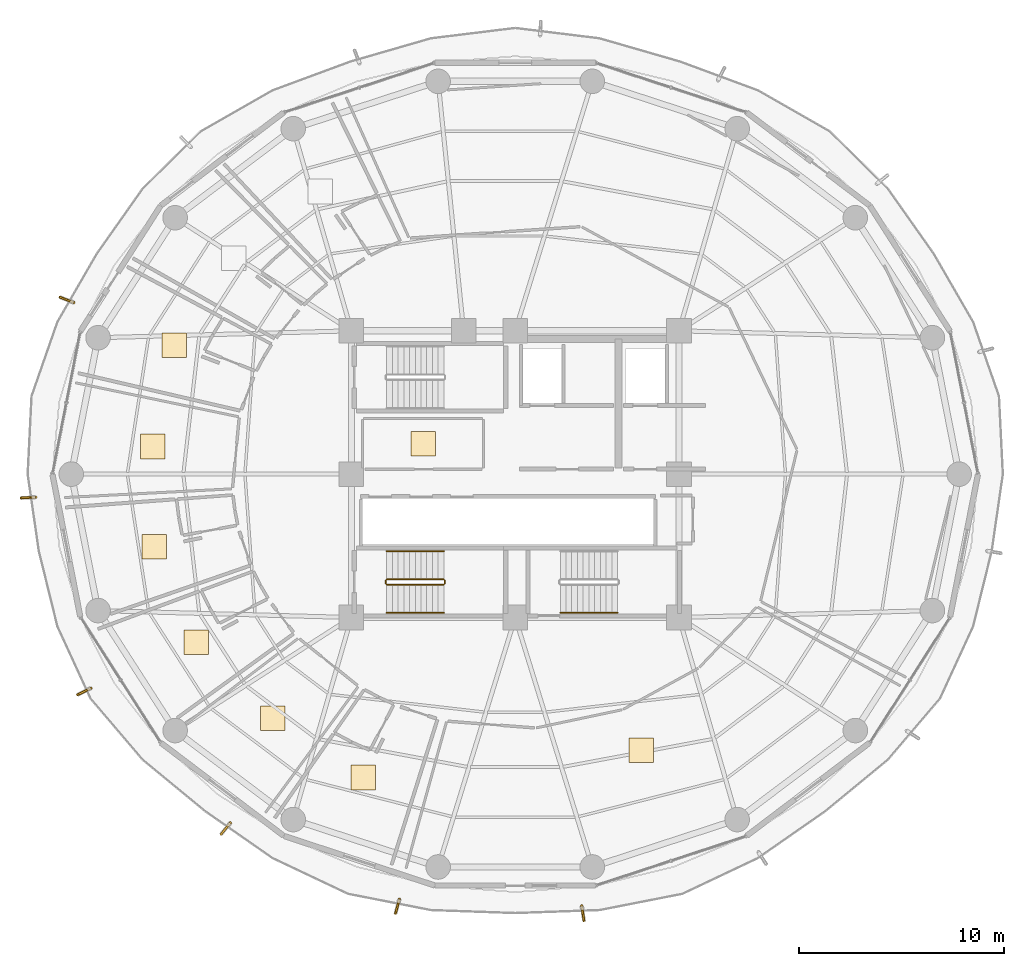
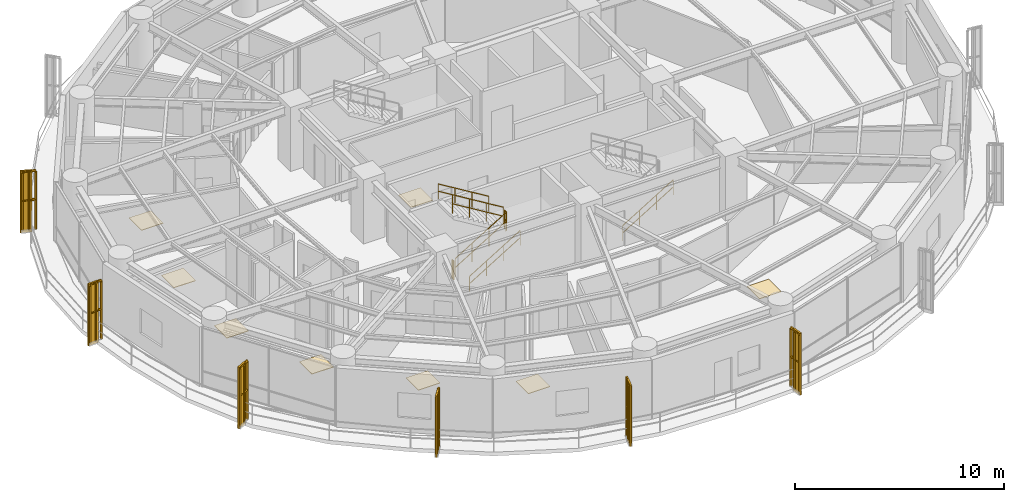
# One storey, part 25 of 27: 13 railings, 8 coverings, 6 shading devices.
"""IFC4 building model written with IfcOpenShell, lengths in metres."""

from ifc_helpers import new_model, si_unit, direction, frame, origin, origin_2d, place, context, subcontext, project, spatial, polyline, rectangle, outline, extrude, source, transform, mapped, material, layer, layer_set, type_object, element, save


model = new_model("IFC4")

# Units and contexts
model_context = context("Model", 3, precision=1e-05, world=origin(), true_north=direction((0.0, 1.0)))
body_context = subcontext(model_context, "Body", "Model", "MODEL_VIEW")
ifc_project = project(units=[si_unit("LENGTHUNIT", "METRE"), si_unit("AREAUNIT", "SQUARE_METRE"), si_unit("VOLUMEUNIT", "CUBIC_METRE"), si_unit("PLANEANGLEUNIT", "RADIAN"), si_unit("MASSUNIT", "GRAM", prefix="KILO")], contexts=[model_context])

# Site, building, storey
site_placement = place(None, origin())
site = spatial("IfcSite", under=ifc_project, at=site_placement, CompositionType="ELEMENT")
building_placement = place(site_placement, origin())
building = spatial("IfcBuilding", under=site, at=building_placement, Name="Kelanora Arch Commons", CompositionType="ELEMENT")
storey_placement = place(building_placement, frame((0.0, 0.0, 143.10009765625)))
storey = spatial("IfcBuildingStorey", under=building, at=storey_placement, Name="L36", CompositionType="ELEMENT", Elevation=143.10009765625)

# Railings
ifc_material_1 = material(Name="Anodised bronze vertical shading fin rib assembly")
railing_type_1 = type_object("IfcRailingType", Name="RAIL-FIN-BRZ", PredefinedType="BALUSTRADE", material=ifc_material_1)
railing_1_placement = place(storey_placement, frame((52.4404296875, 66.380615234375, -0.02001953125)))
element("IfcRailing", 1, at=railing_1_placement, inside=storey, type_object=railing_type_1, Name="Sweeping Bronze Vertical Fin Blade L36-06", PredefinedType="BALUSTRADE", context=body_context, shape_type="SweptSolid", body=[
    extrude(outline(polyline([(0.06982421875, 0.0), (0.034912109375, 0.060546875), (-0.034912109375, 0.060546875), (-0.06982421875, 0.0), (-0.034912109375, -0.060546875), (0.034912109375, -0.060546875), (0.06982421875, 0.0)])), frame((0.0, 0.0, 3.419921875), z_axis=(-0.932147153176, 0.362079666407, 0.0), x_axis=(-0.362079666407, -0.932147153176, 0.0)), (0.0, 0.0, 1.0), 0.675048828125),
    extrude(outline(polyline([(0.06982421875, 0.0), (0.034912109375, 0.060546875), (-0.034912109375, 0.060546875), (-0.06982421875, 0.0), (-0.034912109375, -0.060546875), (0.034912109375, -0.060546875), (0.06982421875, 0.0)])), frame((0.0, 0.0, 1.7451171875), z_axis=(-0.932147153176, 0.362079666407, 0.0), x_axis=(-0.362079666407, -0.932147153176, 0.0)), (0.0, 0.0, 1.0), 0.675048828125),
    extrude(outline(polyline([(0.080078125, 0.0), (0.0400390625, 0.0693359375), (-0.0400390625, 0.0693359375), (-0.080078125, 0.0), (-0.0400390625, -0.0693359375), (0.0400390625, -0.0693359375), (0.080078125, 0.0)])), origin(), (0.0, 0.0, 1.0), 3.35009765625),
    extrude(outline(polyline([(0.080078125, 0.0), (0.0400390625, 0.0693359375), (-0.0400390625, 0.0693359375), (-0.080078125, 0.0), (-0.0400390625, -0.0693359375), (0.0400390625, -0.0693359375), (0.080078125, 0.0)])), frame((-0.314453125, 0.1220703125, 0.0)), (0.0, 0.0, 1.0), 3.35009765625),
    extrude(outline(polyline([(0.080078125, 0.0), (0.0400390625, 0.0693359375), (-0.0400390625, 0.0693359375), (-0.080078125, 0.0), (-0.0400390625, -0.0693359375), (0.0400390625, -0.0693359375), (0.080078125, 0.0)])), frame((-0.629150390625, 0.244384765625, 0.0)), (0.0, 0.0, 1.0), 3.35009765625),
])
railing_2_placement = place(storey_placement, frame((50.5751953125, 56.87158203125, -0.02001953125)))
element("IfcRailing", 2, at=railing_2_placement, inside=storey, type_object=railing_type_1, Name="Sweeping Bronze Vertical Fin Blade L36-07", PredefinedType="BALUSTRADE", context=body_context, shape_type="SweptSolid", body=[
    extrude(outline(polyline([(0.06982421875, 0.0), (0.034912109375, 0.060546875), (-0.034912109375, 0.060546875), (-0.06982421875, 0.0), (-0.034912109375, -0.060546875), (0.034912109375, -0.060546875), (0.06982421875, 0.0)])), frame((0.0, 0.0, 3.419921875), z_axis=(-0.998841794935, -0.048115160712, 0.0), x_axis=(0.048115160712, -0.998841794935, 0.0)), (0.0, 0.0, 1.0), 0.6748046875),
    extrude(outline(polyline([(0.06982421875, 0.0), (0.034912109375, 0.060546875), (-0.034912109375, 0.060546875), (-0.06982421875, 0.0), (-0.034912109375, -0.060546875), (0.034912109375, -0.060546875), (0.06982421875, 0.0)])), frame((0.0, 0.0, 1.7451171875), z_axis=(-0.998841794935, -0.048115160712, 0.0), x_axis=(0.048115160712, -0.998841794935, 0.0)), (0.0, 0.0, 1.0), 0.6748046875),
    extrude(outline(polyline([(0.080078125, 0.0), (0.0400390625, 0.0693359375), (-0.0400390625, 0.0693359375), (-0.080078125, 0.0), (-0.0400390625, -0.0693359375), (0.0400390625, -0.0693359375), (0.080078125, 0.0)])), origin(), (0.0, 0.0, 1.0), 3.35009765625),
    extrude(outline(polyline([(0.080078125, 0.0), (0.0400390625, 0.0693359375), (-0.0400390625, 0.0693359375), (-0.080078125, 0.0), (-0.0400390625, -0.0693359375), (0.0400390625, -0.0693359375), (0.080078125, 0.0)])), frame((-0.3369140625, -0.01611328125, 0.0)), (0.0, 0.0, 1.0), 3.35009765625),
    extrude(outline(polyline([(0.080078125, 0.0), (0.0400390625, 0.0693359375), (-0.0400390625, 0.0693359375), (-0.080078125, 0.0), (-0.0400390625, -0.0693359375), (0.0400390625, -0.0693359375), (0.080078125, 0.0)])), frame((-0.674072265625, -0.032470703125, 0.0)), (0.0, 0.0, 1.0), 3.35009765625),
])
railing_3_placement = place(storey_placement, frame((53.271240234375, 47.548095703125, -0.02001953125)))
element("IfcRailing", 3, at=railing_3_placement, inside=storey, type_object=railing_type_1, Name="Sweeping Bronze Vertical Fin Blade L36-08", PredefinedType="BALUSTRADE", context=body_context, shape_type="SweptSolid", body=[
    extrude(outline(polyline([(0.06982421875, 0.0), (0.034912109375, 0.060546875), (-0.034912109375, 0.060546875), (-0.06982421875, 0.0), (-0.034912109375, -0.060546875), (0.034912109375, -0.060546875), (0.06982421875, 0.0)])), frame((0.0, 0.0, 3.419921875), z_axis=(-0.893048489417, -0.449960437762, 0.0), x_axis=(0.449960437762, -0.893048489417, 0.0)), (0.0, 0.0, 1.0), 0.675048828125),
    extrude(outline(polyline([(0.06982421875, 0.0), (0.034912109375, 0.060546875), (-0.034912109375, 0.060546875), (-0.06982421875, 0.0), (-0.034912109375, -0.060546875), (0.034912109375, -0.060546875), (0.06982421875, 0.0)])), frame((0.0, 0.0, 1.7451171875), z_axis=(-0.893048489417, -0.449960437762, 0.0), x_axis=(0.449960437762, -0.893048489417, 0.0)), (0.0, 0.0, 1.0), 0.675048828125),
    extrude(outline(polyline([(0.080078125, 0.0), (0.0400390625, 0.0693359375), (-0.0400390625, 0.0693359375), (-0.080078125, 0.0), (-0.0400390625, -0.0693359375), (0.0400390625, -0.0693359375), (0.080078125, 0.0)])), origin(), (0.0, 0.0, 1.0), 3.35009765625),
    extrude(outline(polyline([(0.080078125, 0.0), (0.0400390625, 0.0693359375), (-0.0400390625, 0.0693359375), (-0.080078125, 0.0), (-0.0400390625, -0.0693359375), (0.0400390625, -0.0693359375), (0.080078125, 0.0)])), frame((-0.30126953125, -0.15185546875, 0.0)), (0.0, 0.0, 1.0), 3.35009765625),
    extrude(outline(polyline([(0.080078125, 0.0), (0.0400390625, 0.0693359375), (-0.0400390625, 0.0693359375), (-0.080078125, 0.0), (-0.0400390625, -0.0693359375), (0.0400390625, -0.0693359375), (0.080078125, 0.0)])), frame((-0.602783203125, -0.3037109375, 0.0)), (0.0, 0.0, 1.0), 3.35009765625),
])
railing_4_placement = place(storey_placement, frame((60.082763671875, 40.961181640625, -0.02001953125)))
element("IfcRailing", 4, at=railing_4_placement, inside=storey, type_object=railing_type_1, Name="Sweeping Bronze Vertical Fin Blade L36-09", PredefinedType="BALUSTRADE", context=body_context, shape_type="SweptSolid", body=[
    extrude(outline(polyline([(0.06982421875, 0.0), (0.034912109375, 0.060546875), (-0.034912109375, 0.060546875), (-0.06982421875, 0.0), (-0.034912109375, -0.060546875), (0.034912109375, -0.060546875), (0.06982421875, 0.0)])), frame((0.0, 0.0, 3.419921875), z_axis=(-0.632646678466, -0.774440559517, 0.0), x_axis=(0.774440559517, -0.632646678466, 0.0)), (0.0, 0.0, 1.0), 0.675048828125),
    extrude(outline(polyline([(0.06982421875, 0.0), (0.034912109375, 0.060546875), (-0.034912109375, 0.060546875), (-0.06982421875, 0.0), (-0.034912109375, -0.060546875), (0.034912109375, -0.060546875), (0.06982421875, 0.0)])), frame((0.0, 0.0, 1.7451171875), z_axis=(-0.632646678466, -0.774440559517, 0.0), x_axis=(0.774440559517, -0.632646678466, 0.0)), (0.0, 0.0, 1.0), 0.675048828125),
    extrude(outline(polyline([(0.080078125, 0.0), (0.0400390625, 0.0693359375), (-0.0400390625, 0.0693359375), (-0.080078125, 0.0), (-0.0400390625, -0.0693359375), (0.0400390625, -0.0693359375), (0.080078125, 0.0)])), origin(), (0.0, 0.0, 1.0), 3.35009765625),
    extrude(outline(polyline([(0.080078125, 0.0), (0.0400390625, 0.0693359375), (-0.0400390625, 0.0693359375), (-0.080078125, 0.0), (-0.0400390625, -0.0693359375), (0.0400390625, -0.0693359375), (0.080078125, 0.0)])), frame((-0.21337890625, -0.26123046875, 0.0)), (0.0, 0.0, 1.0), 3.35009765625),
    extrude(outline(polyline([(0.080078125, 0.0), (0.0400390625, 0.0693359375), (-0.0400390625, 0.0693359375), (-0.080078125, 0.0), (-0.0400390625, -0.0693359375), (0.0400390625, -0.0693359375), (0.080078125, 0.0)])), frame((-0.427001953125, -0.522705078125, 0.0)), (0.0, 0.0, 1.0), 3.35009765625),
])
railing_5_placement = place(storey_placement, frame((68.34375, 37.241455078125, -0.02001953125)))
element("IfcRailing", 5, at=railing_5_placement, inside=storey, type_object=railing_type_1, Name="Sweeping Bronze Vertical Fin Blade L36-10", PredefinedType="BALUSTRADE", context=body_context, shape_type="SweptSolid", body=[
    extrude(outline(polyline([(0.06982421875, 0.0), (0.034912109375, 0.060546875), (-0.034912109375, 0.060546875), (-0.06982421875, 0.0), (-0.034912109375, -0.060546875), (0.034912109375, -0.060546875), (0.06982421875, 0.0)])), frame((0.0, 0.0, 3.419921875), z_axis=(-0.262903204548, -0.964822214213, 0.0), x_axis=(0.964822214213, -0.262903204548, 0.0)), (0.0, 0.0, 1.0), 0.675048828125),
    extrude(outline(polyline([(0.06982421875, 0.0), (0.034912109375, 0.060546875), (-0.034912109375, 0.060546875), (-0.06982421875, 0.0), (-0.034912109375, -0.060546875), (0.034912109375, -0.060546875), (0.06982421875, 0.0)])), frame((0.0, 0.0, 1.7451171875), z_axis=(-0.262903204548, -0.964822214213, 0.0), x_axis=(0.964822214213, -0.262903204548, 0.0)), (0.0, 0.0, 1.0), 0.675048828125),
    extrude(outline(polyline([(0.080078125, 0.0), (0.0400390625, 0.0693359375), (-0.0400390625, 0.0693359375), (-0.080078125, 0.0), (-0.0400390625, -0.0693359375), (0.0400390625, -0.0693359375), (0.080078125, 0.0)])), origin(), (0.0, 0.0, 1.0), 3.35009765625),
    extrude(outline(polyline([(0.080078125, 0.0), (0.0400390625, 0.0693359375), (-0.0400390625, 0.0693359375), (-0.080078125, 0.0), (-0.0400390625, -0.0693359375), (0.0400390625, -0.0693359375), (0.080078125, 0.0)])), frame((-0.0888671875, -0.32568359375, 0.0)), (0.0, 0.0, 1.0), 3.35009765625),
    extrude(outline(polyline([(0.080078125, 0.0), (0.0400390625, 0.0693359375), (-0.0400390625, 0.0693359375), (-0.080078125, 0.0), (-0.0400390625, -0.0693359375), (0.0400390625, -0.0693359375), (0.080078125, 0.0)])), frame((-0.177490234375, -0.6513671875, 0.0)), (0.0, 0.0, 1.0), 3.35009765625),
])
railing_6_placement = place(storey_placement, frame((77.25, 36.9033203125, -0.02001953125)))
element("IfcRailing", 6, at=railing_6_placement, inside=storey, type_object=railing_type_1, Name="Sweeping Bronze Vertical Fin Blade L36-11", PredefinedType="BALUSTRADE", context=body_context, shape_type="SweptSolid", body=[
    extrude(outline(polyline([(0.06982421875, 0.0), (0.034912109375, 0.060546875), (-0.034912109375, 0.060546875), (-0.06982421875, 0.0), (-0.034912109375, -0.060546875), (0.034912109375, -0.060546875), (0.06982421875, 0.0)])), frame((0.0, 0.0, 3.419921875), z_axis=(0.152247404466, -0.988342414264, 0.0), x_axis=(0.988342414264, 0.152247404466, 0.0)), (0.0, 0.0, 1.0), 0.675048828125),
    extrude(outline(polyline([(0.06982421875, 0.0), (0.034912109375, 0.060546875), (-0.034912109375, 0.060546875), (-0.06982421875, 0.0), (-0.034912109375, -0.060546875), (0.034912109375, -0.060546875), (0.06982421875, 0.0)])), frame((0.0, 0.0, 1.7451171875), z_axis=(0.152247404466, -0.988342414264, 0.0), x_axis=(0.988342414264, 0.152247404466, 0.0)), (0.0, 0.0, 1.0), 0.675048828125),
    extrude(outline(polyline([(0.080078125, 0.0), (0.0400390625, 0.0693359375), (-0.0400390625, 0.0693359375), (-0.080078125, 0.0), (-0.0400390625, -0.0693359375), (0.0400390625, -0.0693359375), (0.080078125, 0.0)])), origin(), (0.0, 0.0, 1.0), 3.35009765625),
    extrude(outline(polyline([(0.080078125, 0.0), (0.0400390625, 0.0693359375), (-0.0400390625, 0.0693359375), (-0.080078125, 0.0), (-0.0400390625, -0.0693359375), (0.0400390625, -0.0693359375), (0.080078125, 0.0)])), frame((0.05126953125, -0.33349609375, 0.0)), (0.0, 0.0, 1.0), 3.35009765625),
    extrude(outline(polyline([(0.080078125, 0.0), (0.0400390625, 0.0693359375), (-0.0400390625, 0.0693359375), (-0.080078125, 0.0), (-0.0400390625, -0.0693359375), (0.0400390625, -0.0693359375), (0.080078125, 0.0)])), frame((0.102783203125, -0.667236328125, 0.0)), (0.0, 0.0, 1.0), 3.35009765625),
])
ifc_material_2 = material(Name="Painted steel stair well guard", Category="steel")
railing_type_2 = type_object("IfcRailingType", Name="RAIL-STAIR-GRD", PredefinedType="GUARDRAIL", material=ifc_material_2)
railing_7_placement = place(storey_placement, frame((67.719970703125, 52.610107421875, 0.17041015625)))
element("IfcRailing", 7, at=railing_7_placement, inside=storey, type_object=railing_type_2, Name="L36 ST-T3 stair guard 1", PredefinedType="GUARDRAIL", context=body_context, shape_type="SweptSolid", body=[
    extrude(outline(polyline([(0.02392578125, 0.0), (0.011962890625, 0.020751953125), (-0.011962890625, 0.020751953125), (-0.02392578125, 0.0), (-0.011962890625, -0.020751953125), (0.011962890625, -0.020751953125), (0.02392578125, 0.0)])), frame((0.0, 0.0, 1.076171875), z_axis=(0.854169791009, 0.0, 0.51999420009), x_axis=(0.0, 1.0, 0.0)), (0.0, 0.0, 1.0), 3.278076171875),
    extrude(outline(polyline([(0.02392578125, 0.0), (0.011962890625, 0.020751953125), (-0.011962890625, 0.020751953125), (-0.02392578125, 0.0), (-0.011962890625, -0.020751953125), (0.011962890625, -0.020751953125), (0.02392578125, 0.0)])), frame((0.0, 0.0, 0.550048828125), z_axis=(0.854169791009, 0.0, 0.51999420009), x_axis=(0.0, 1.0, 0.0)), (0.0, 0.0, 1.0), 3.278076171875),
    extrude(outline(polyline([(0.02099609375, 0.0), (0.010498046875, 0.01806640625), (-0.010498046875, 0.01806640625), (-0.02099609375, 0.0), (-0.010498046875, -0.01806640625), (0.010498046875, -0.01806640625), (0.02099609375, 0.0)])), origin(), (0.0, 0.0, 1.0), 1.052001953125),
    extrude(outline(polyline([(0.02099609375, 0.0), (0.010498046875, 0.01806640625), (-0.010498046875, 0.01806640625), (-0.02099609375, 0.0), (-0.010498046875, -0.01806640625), (0.010498046875, -0.01806640625), (0.02099609375, 0.0)])), frame((0.933349609375, 0.0, 0.568115234375)), (0.0, 0.0, 1.0), 1.052001953125),
    extrude(outline(polyline([(0.02099609375, 0.0), (0.010498046875, 0.01806640625), (-0.010498046875, 0.01806640625), (-0.02099609375, 0.0), (-0.010498046875, -0.01806640625), (0.010498046875, -0.01806640625), (0.02099609375, 0.0)])), frame((1.86669921875, 0.0, 1.136474609375)), (0.0, 0.0, 1.0), 1.052001953125),
    extrude(outline(polyline([(0.02099609375, 0.0), (0.010498046875, 0.01806640625), (-0.010498046875, 0.01806640625), (-0.02099609375, 0.0), (-0.010498046875, -0.01806640625), (0.010498046875, -0.01806640625), (0.02099609375, 0.0)])), frame((2.800048828125, 0.0, 1.70458984375)), (0.0, 0.0, 1.0), 1.052001953125),
])
railing_8_placement = place(storey_placement, frame((70.570068359375, 52.659912109375, 1.875)))
element("IfcRailing", 8, at=railing_8_placement, inside=storey, type_object=railing_type_2, Name="L36 ST-T3 stair guard 2", PredefinedType="GUARDRAIL", context=body_context, shape_type="SweptSolid", body=[
    extrude(outline(polyline([(0.02392578125, 0.0), (0.011962890625, 0.020751953125), (-0.011962890625, 0.020751953125), (-0.02392578125, 0.0), (-0.011962890625, -0.020751953125), (0.011962890625, -0.020751953125), (0.02392578125, 0.0)])), frame((0.0, 0.0, 1.076171875), z_axis=(0.0, 1.0, 0.0), x_axis=(-1.0, 0.0, 0.0)), (0.0, 0.0, 1.0), 0.150146484375),
    extrude(outline(polyline([(0.02392578125, 0.0), (0.011962890625, 0.020751953125), (-0.011962890625, 0.020751953125), (-0.02392578125, 0.0), (-0.011962890625, -0.020751953125), (0.011962890625, -0.020751953125), (0.02392578125, 0.0)])), frame((0.0, 0.0, 0.550048828125), z_axis=(0.0, 1.0, 0.0), x_axis=(-1.0, 0.0, 0.0)), (0.0, 0.0, 1.0), 0.150146484375),
    extrude(outline(polyline([(0.02099609375, 0.0), (0.010498046875, 0.01806640625), (-0.010498046875, 0.01806640625), (-0.02099609375, 0.0), (-0.010498046875, -0.01806640625), (0.010498046875, -0.01806640625), (0.02099609375, 0.0)])), origin(), (0.0, 0.0, 1.0), 1.052001953125),
    extrude(outline(polyline([(0.02099609375, 0.0), (0.010498046875, 0.01806640625), (-0.010498046875, 0.01806640625), (-0.02099609375, 0.0), (-0.010498046875, -0.01806640625), (0.010498046875, -0.01806640625), (0.02099609375, 0.0)])), frame((0.0, 0.150146484375, 0.0)), (0.0, 0.0, 1.0), 1.052001953125),
])
railing_9_placement = place(storey_placement, frame((70.52001953125, 52.860107421875, 2.04541015625)))
element("IfcRailing", 9, at=railing_9_placement, inside=storey, type_object=railing_type_2, Name="L36 ST-T3 stair guard 3", PredefinedType="GUARDRAIL", context=body_context, shape_type="SweptSolid", body=[
    extrude(outline(polyline([(0.02392578125, 0.0), (0.011962890625, 0.020751953125), (-0.011962890625, 0.020751953125), (-0.02392578125, 0.0), (-0.011962890625, -0.020751953125), (0.011962890625, -0.020751953125), (0.02392578125, 0.0)])), frame((0.0, 0.0, 1.076171875), z_axis=(-0.854169791009, 0.0, 0.51999420009), x_axis=(0.0, -1.0, 0.0)), (0.0, 0.0, 1.0), 3.278076171875),
    extrude(outline(polyline([(0.02392578125, 0.0), (0.011962890625, 0.020751953125), (-0.011962890625, 0.020751953125), (-0.02392578125, 0.0), (-0.011962890625, -0.020751953125), (0.011962890625, -0.020751953125), (0.02392578125, 0.0)])), frame((0.0, 0.0, 0.550048828125), z_axis=(-0.854169791009, 0.0, 0.51999420009), x_axis=(0.0, -1.0, 0.0)), (0.0, 0.0, 1.0), 3.278076171875),
    extrude(outline(polyline([(0.02099609375, 0.0), (0.010498046875, 0.01806640625), (-0.010498046875, 0.01806640625), (-0.02099609375, 0.0), (-0.010498046875, -0.01806640625), (0.010498046875, -0.01806640625), (0.02099609375, 0.0)])), origin(), (0.0, 0.0, 1.0), 1.052001953125),
    extrude(outline(polyline([(0.02099609375, 0.0), (0.010498046875, 0.01806640625), (-0.010498046875, 0.01806640625), (-0.02099609375, 0.0), (-0.010498046875, -0.01806640625), (0.010498046875, -0.01806640625), (0.02099609375, 0.0)])), frame((-0.933349609375, 0.0, 0.568115234375)), (0.0, 0.0, 1.0), 1.052001953125),
    extrude(outline(polyline([(0.02099609375, 0.0), (0.010498046875, 0.01806640625), (-0.010498046875, 0.01806640625), (-0.02099609375, 0.0), (-0.010498046875, -0.01806640625), (0.010498046875, -0.01806640625), (0.02099609375, 0.0)])), frame((-1.86669921875, 0.0, 1.136474609375)), (0.0, 0.0, 1.0), 1.052001953125),
    extrude(outline(polyline([(0.02099609375, 0.0), (0.010498046875, 0.01806640625), (-0.010498046875, 0.01806640625), (-0.02099609375, 0.0), (-0.010498046875, -0.01806640625), (0.010498046875, -0.01806640625), (0.02099609375, 0.0)])), frame((-2.800048828125, 0.0, 1.70458984375)), (0.0, 0.0, 1.0), 1.052001953125),
])
railing_10_placement = place(storey_placement, frame((67.669921875, 52.659912109375, 0.0)))
element("IfcRailing", 10, at=railing_10_placement, inside=storey, type_object=railing_type_2, Name="L36 ST-T3 stair guard 4", PredefinedType="GUARDRAIL", context=body_context, shape_type="SweptSolid", body=[
    extrude(outline(polyline([(0.02392578125, 0.0), (0.011962890625, 0.020751953125), (-0.011962890625, 0.020751953125), (-0.02392578125, 0.0), (-0.011962890625, -0.020751953125), (0.011962890625, -0.020751953125), (0.02392578125, 0.0)])), frame((0.0, 0.0, 1.076171875), z_axis=(0.0, 1.0, 0.0), x_axis=(-1.0, 0.0, 0.0)), (0.0, 0.0, 1.0), 0.150146484375),
    extrude(outline(polyline([(0.02392578125, 0.0), (0.011962890625, 0.020751953125), (-0.011962890625, 0.020751953125), (-0.02392578125, 0.0), (-0.011962890625, -0.020751953125), (0.011962890625, -0.020751953125), (0.02392578125, 0.0)])), frame((0.0, 0.0, 0.550048828125), z_axis=(0.0, 1.0, 0.0), x_axis=(-1.0, 0.0, 0.0)), (0.0, 0.0, 1.0), 0.150146484375),
    extrude(outline(polyline([(0.02099609375, 0.0), (0.010498046875, 0.01806640625), (-0.010498046875, 0.01806640625), (-0.02099609375, 0.0), (-0.010498046875, -0.01806640625), (0.010498046875, -0.01806640625), (0.02099609375, 0.0)])), origin(), (0.0, 0.0, 1.0), 1.052001953125),
    extrude(outline(polyline([(0.02099609375, 0.0), (0.010498046875, 0.01806640625), (-0.010498046875, 0.01806640625), (-0.02099609375, 0.0), (-0.010498046875, -0.01806640625), (0.010498046875, -0.01806640625), (0.02099609375, 0.0)])), frame((0.0, 0.150146484375, 0.0)), (0.0, 0.0, 1.0), 1.052001953125),
])
ifc_material_3 = material(Name="Brushed stainless steel stair handrail", Category="steel")
railing_type_3 = type_object("IfcRailingType", Name="RAIL-STAIR-HND", PredefinedType="HANDRAIL", material=ifc_material_3)
railing_11_placement = place(storey_placement, frame((76.199951171875, 51.22998046875, 0.17041015625)))
element("IfcRailing", 11, at=railing_11_placement, inside=storey, type_object=railing_type_3, Name="L36 ST-T2 stair handrail 1", PredefinedType="HANDRAIL", context=body_context, shape_type="SweptSolid", body=[
    extrude(outline(polyline([(0.02392578125, 0.0), (0.011962890625, 0.020751953125), (-0.011962890625, 0.020751953125), (-0.02392578125, 0.0), (-0.011962890625, -0.020751953125), (0.011962890625, -0.020751953125), (0.02392578125, 0.0)])), frame((0.0, 0.0, 0.8759765625), z_axis=(0.854169791009, 0.0, 0.51999420009), x_axis=(0.0, 1.0, 0.0)), (0.0, 0.0, 1.0), 3.278076171875),
    extrude(outline(polyline([(0.02392578125, 0.0), (0.011962890625, 0.020751953125), (-0.011962890625, 0.020751953125), (-0.02392578125, 0.0), (-0.011962890625, -0.020751953125), (0.011962890625, -0.020751953125), (0.02392578125, 0.0)])), frame((0.0, 0.0, 0.449951171875), z_axis=(0.854169791009, 0.0, 0.51999420009), x_axis=(0.0, 1.0, 0.0)), (0.0, 0.0, 1.0), 3.278076171875),
    extrude(outline(polyline([(0.02099609375, 0.0), (0.010498046875, 0.01806640625), (-0.010498046875, 0.01806640625), (-0.02099609375, 0.0), (-0.010498046875, -0.01806640625), (0.010498046875, -0.01806640625), (0.02099609375, 0.0)])), origin(), (0.0, 0.0, 1.0), 0.851806640625),
    extrude(outline(polyline([(0.02099609375, 0.0), (0.010498046875, 0.01806640625), (-0.010498046875, 0.01806640625), (-0.02099609375, 0.0), (-0.010498046875, -0.01806640625), (0.010498046875, -0.01806640625), (0.02099609375, 0.0)])), frame((0.933349609375, 0.0, 0.568115234375)), (0.0, 0.0, 1.0), 0.851806640625),
    extrude(outline(polyline([(0.02099609375, 0.0), (0.010498046875, 0.01806640625), (-0.010498046875, 0.01806640625), (-0.02099609375, 0.0), (-0.010498046875, -0.01806640625), (0.010498046875, -0.01806640625), (0.02099609375, 0.0)])), frame((1.86669921875, 0.0, 1.136474609375)), (0.0, 0.0, 1.0), 0.851806640625),
    extrude(outline(polyline([(0.02099609375, 0.0), (0.010498046875, 0.01806640625), (-0.010498046875, 0.01806640625), (-0.02099609375, 0.0), (-0.010498046875, -0.01806640625), (0.010498046875, -0.01806640625), (0.02099609375, 0.0)])), frame((2.800048828125, 0.0, 1.70458984375)), (0.0, 0.0, 1.0), 0.851806640625),
])
railing_12_placement = place(storey_placement, frame((67.719970703125, 51.22998046875, 0.17041015625)))
element("IfcRailing", 12, at=railing_12_placement, inside=storey, type_object=railing_type_3, Name="L36 ST-T3 stair handrail 1", PredefinedType="HANDRAIL", context=body_context, shape_type="SweptSolid", body=[
    extrude(outline(polyline([(0.02392578125, 0.0), (0.011962890625, 0.020751953125), (-0.011962890625, 0.020751953125), (-0.02392578125, 0.0), (-0.011962890625, -0.020751953125), (0.011962890625, -0.020751953125), (0.02392578125, 0.0)])), frame((0.0, 0.0, 0.8759765625), z_axis=(0.854169791009, 0.0, 0.51999420009), x_axis=(0.0, 1.0, 0.0)), (0.0, 0.0, 1.0), 3.278076171875),
    extrude(outline(polyline([(0.02392578125, 0.0), (0.011962890625, 0.020751953125), (-0.011962890625, 0.020751953125), (-0.02392578125, 0.0), (-0.011962890625, -0.020751953125), (0.011962890625, -0.020751953125), (0.02392578125, 0.0)])), frame((0.0, 0.0, 0.449951171875), z_axis=(0.854169791009, 0.0, 0.51999420009), x_axis=(0.0, 1.0, 0.0)), (0.0, 0.0, 1.0), 3.278076171875),
    extrude(outline(polyline([(0.02099609375, 0.0), (0.010498046875, 0.01806640625), (-0.010498046875, 0.01806640625), (-0.02099609375, 0.0), (-0.010498046875, -0.01806640625), (0.010498046875, -0.01806640625), (0.02099609375, 0.0)])), origin(), (0.0, 0.0, 1.0), 0.851806640625),
    extrude(outline(polyline([(0.02099609375, 0.0), (0.010498046875, 0.01806640625), (-0.010498046875, 0.01806640625), (-0.02099609375, 0.0), (-0.010498046875, -0.01806640625), (0.010498046875, -0.01806640625), (0.02099609375, 0.0)])), frame((0.933349609375, 0.0, 0.568115234375)), (0.0, 0.0, 1.0), 0.851806640625),
    extrude(outline(polyline([(0.02099609375, 0.0), (0.010498046875, 0.01806640625), (-0.010498046875, 0.01806640625), (-0.02099609375, 0.0), (-0.010498046875, -0.01806640625), (0.010498046875, -0.01806640625), (0.02099609375, 0.0)])), frame((1.86669921875, 0.0, 1.136474609375)), (0.0, 0.0, 1.0), 0.851806640625),
    extrude(outline(polyline([(0.02099609375, 0.0), (0.010498046875, 0.01806640625), (-0.010498046875, 0.01806640625), (-0.02099609375, 0.0), (-0.010498046875, -0.01806640625), (0.010498046875, -0.01806640625), (0.02099609375, 0.0)])), frame((2.800048828125, 0.0, 1.70458984375)), (0.0, 0.0, 1.0), 0.851806640625),
])
railing_13_placement = place(storey_placement, frame((70.52001953125, 54.239990234375, 2.04541015625)))
element("IfcRailing", 13, at=railing_13_placement, inside=storey, type_object=railing_type_3, Name="L36 ST-T3 stair handrail 2", PredefinedType="HANDRAIL", context=body_context, shape_type="SweptSolid", body=[
    extrude(outline(polyline([(0.02392578125, 0.0), (0.011962890625, 0.020751953125), (-0.011962890625, 0.020751953125), (-0.02392578125, 0.0), (-0.011962890625, -0.020751953125), (0.011962890625, -0.020751953125), (0.02392578125, 0.0)])), frame((0.0, 0.0, 0.8759765625), z_axis=(-0.854169791009, 0.0, 0.51999420009), x_axis=(0.0, -1.0, 0.0)), (0.0, 0.0, 1.0), 3.278076171875),
    extrude(outline(polyline([(0.02392578125, 0.0), (0.011962890625, 0.020751953125), (-0.011962890625, 0.020751953125), (-0.02392578125, 0.0), (-0.011962890625, -0.020751953125), (0.011962890625, -0.020751953125), (0.02392578125, 0.0)])), frame((0.0, 0.0, 0.449951171875), z_axis=(-0.854169791009, 0.0, 0.51999420009), x_axis=(0.0, -1.0, 0.0)), (0.0, 0.0, 1.0), 3.278076171875),
    extrude(outline(polyline([(0.02099609375, 0.0), (0.010498046875, 0.01806640625), (-0.010498046875, 0.01806640625), (-0.02099609375, 0.0), (-0.010498046875, -0.01806640625), (0.010498046875, -0.01806640625), (0.02099609375, 0.0)])), origin(), (0.0, 0.0, 1.0), 0.851806640625),
    extrude(outline(polyline([(0.02099609375, 0.0), (0.010498046875, 0.01806640625), (-0.010498046875, 0.01806640625), (-0.02099609375, 0.0), (-0.010498046875, -0.01806640625), (0.010498046875, -0.01806640625), (0.02099609375, 0.0)])), frame((-0.933349609375, 0.0, 0.568115234375)), (0.0, 0.0, 1.0), 0.851806640625),
    extrude(outline(polyline([(0.02099609375, 0.0), (0.010498046875, 0.01806640625), (-0.010498046875, 0.01806640625), (-0.02099609375, 0.0), (-0.010498046875, -0.01806640625), (0.010498046875, -0.01806640625), (0.02099609375, 0.0)])), frame((-1.86669921875, 0.0, 1.136474609375)), (0.0, 0.0, 1.0), 0.851806640625),
    extrude(outline(polyline([(0.02099609375, 0.0), (0.010498046875, 0.01806640625), (-0.010498046875, 0.01806640625), (-0.02099609375, 0.0), (-0.010498046875, -0.01806640625), (0.010498046875, -0.01806640625), (0.02099609375, 0.0)])), frame((-2.800048828125, 0.0, 1.70458984375)), (0.0, 0.0, 1.0), 0.851806640625),
])

# Shading devices
ifc_material_4 = material(Name="Terracotta ceramic-clad extruded aluminium fin", Category="masonry")
shading_device_type = type_object("IfcShadingDeviceType", Name="SHD-FIN-WAIST", PredefinedType="USERDEFINED", material=ifc_material_4)
shared_shape_1 = source(origin(), body_context, "Body", "SweptSolid", [
    extrude(rectangle(XDim=0.56005859375, YDim=0.090087890625, at=origin_2d()), origin(), (0.0, 0.0, 1.0), 3.610107421875),
])
for number, where, z_axis, x_axis, name in (
    (14, (51.99560546875, 66.5537109375, -0.14013671875), (0.0, 0.0, 1.0), (-0.932071112458, 0.362275366705, 0.0), "Sweeping Terracotta Fin L36-06"),
    (15, (50.098388671875, 56.8486328125, -0.14013671875), (0.0, 0.0, 1.0), (-0.998839997509, -0.04815245972, 0.0), "Sweeping Terracotta Fin L36-07"),
    (16, (52.844970703125, 47.333251953125, -0.14013671875), (0.0, 0.0, 1.0), (-0.892900372813, -0.450254288408, 0.0), "Sweeping Terracotta Fin L36-08"),
    (17, (59.780517578125, 40.59130859375, -0.14013671875), (0.0, 0.0, 1.0), (-0.632570161913, -0.774503060199, 0.0), "Sweeping Terracotta Fin L36-09"),
    (18, (68.218017578125, 36.78076171875, -0.14013671875), (0.0, 0.0, 1.0), (-0.262862823299, -0.964833216741, 0.0), "Sweeping Terracotta Fin L36-10"),
    (19, (77.32275390625, 36.431396484375, -0.14013671875), (0.0, 0.0, 1.0), (0.152295885498, -0.988334944875, 0.0), "Sweeping Terracotta Fin L36-11"),
):
    element("IfcShadingDevice", number, at=place(storey_placement, frame(where, z_axis=z_axis, x_axis=x_axis)), inside=storey, type_object=shading_device_type, Name=name, ObjectType="FIN", PredefinedType="USERDEFINED", context=body_context, shape_type="MappedRepresentation", body=[
        mapped(shared_shape_1, transform((0.0, 0.0, 0.0), scale=1.0)),
    ])

# Coverings
ifc_material_5 = material(Name="Polished local granite terrazzo flooring", Category="masonry")
ifc_layer = layer(ifc_material_5, 0.030029296875)
ifc_layer_set = layer_set([ifc_layer], Name="Polished local granite terrazzo flooring")
covering_type = type_object("IfcCoveringType", Name="COV-FLR-TER", PredefinedType="FLOORING", material=ifc_layer_set)
shared_shape_2 = source(origin(), body_context, "Body", "SweptSolid", [
    extrude(rectangle(XDim=1.199951171875, YDim=1.199951171875, at=origin_2d()), origin(), (0.0, 0.0, 1.0), 0.030029296875),
])
for number, where, z_axis, x_axis, name in (
    (20, (69.5, 59.485107421875, 0.0), (0.0, 0.0, 1.0), (1.0, 0.0, 0.0), "Reclaimed Core Study Pod Lounge L36 Terrazzo Finish"),
    (21, (80.148681640625, 44.510986328125, 0.0), (0.0, 0.0, 1.0), (1.0, 0.0, 0.0), "South-East Social Sky Lounge L36 Terrazzo Finish"),
    (22, (57.3466796875, 64.287109375, 0.0), (0.0, 0.0, 1.0), (1.0, 0.0, 0.0), "Cluster Bedroom L36-03 Terrazzo Finish"),
    (23, (56.2900390625, 59.35205078125, 0.0), (0.0, 0.0, 1.0), (1.0, 0.0, 0.0), "Shared Cluster Kitchen L36-04 Terrazzo Finish"),
    (24, (56.378173828125, 54.444580078125, 0.0), (0.0, 0.0, 1.0), (1.0, 0.0, 0.0), "Cluster Bedroom L36-05 Terrazzo Finish"),
    (25, (58.41357421875, 49.7919921875, 0.0), (0.0, 0.0, 1.0), (1.0, 0.0, 0.0), "Cluster Bedroom L36-06 Terrazzo Finish"),
    (26, (62.1650390625, 46.069580078125, 0.0), (0.0, 0.0, 1.0), (1.0, 0.0, 0.0), "Social Sky Lounge L36-07 Terrazzo Finish"),
    (27, (66.57958984375, 43.185546875, 0.0), (0.0, 0.0, 1.0), (1.0, 0.0, 0.0), "Cluster Bedroom L36-08 Terrazzo Finish"),
):
    element("IfcCovering", number, at=place(storey_placement, frame(where, z_axis=z_axis, x_axis=x_axis)), inside=storey, type_object=covering_type, Name=name, PredefinedType="FLOORING", context=body_context, shape_type="MappedRepresentation", body=[
        mapped(shared_shape_2, transform((0.0, 0.0, 0.0), scale=1.0)),
    ])

save(model, "model.ifc")
